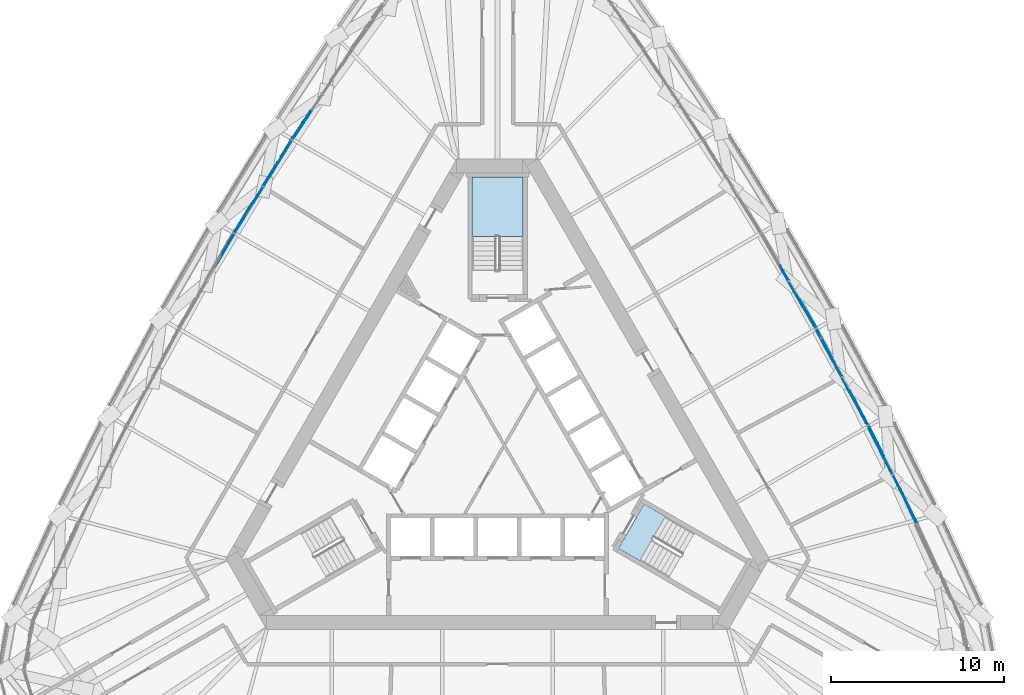
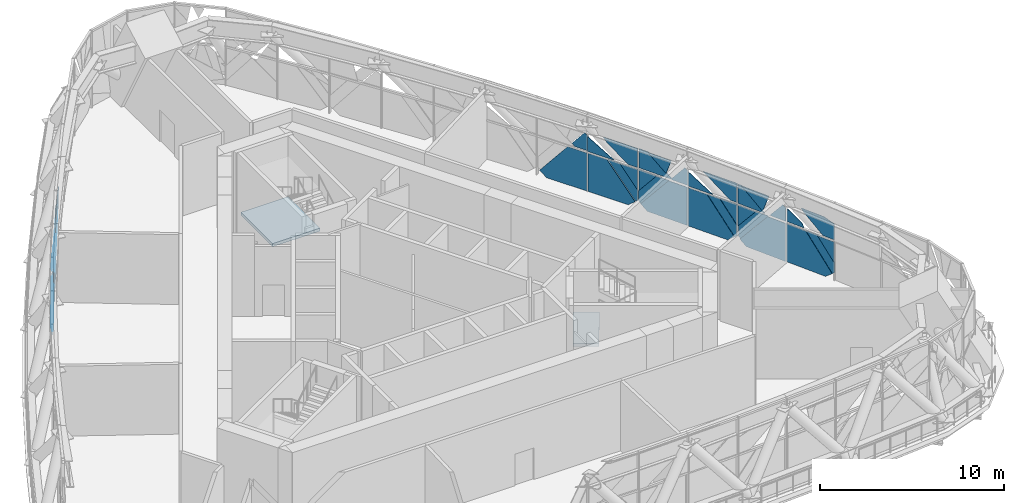
# One storey, part 16 of 35: 47 plates, 2 slabs, 4 elements without a shape of their own.
"""IFC4 building model written with IfcOpenShell, lengths in metres."""

from ifc_helpers import new_model, si_unit, direction, frame, origin, place, context, subcontext, project, spatial, polyline, outline, extrude, material, layer, layer_set, type_object, element, aggregate, save


model = new_model("IFC4")

# Units and contexts
model_context = context("Model", 3, precision=1e-05, world=origin(), true_north=direction((0.0, 1.0)))
body_context = subcontext(model_context, "Body", "Model", "MODEL_VIEW")
ifc_project = project(units=[si_unit("LENGTHUNIT", "METRE"), si_unit("AREAUNIT", "SQUARE_METRE"), si_unit("VOLUMEUNIT", "CUBIC_METRE"), si_unit("PLANEANGLEUNIT", "RADIAN"), si_unit("MASSUNIT", "GRAM", prefix="KILO")], contexts=[model_context])

# Site, building, storey
site_placement = place(None, origin())
site = spatial("IfcSite", under=ifc_project, at=site_placement, CompositionType="ELEMENT")
building_placement = place(site_placement, origin())
building = spatial("IfcBuilding", under=site, at=building_placement, Name="Mestral Congress Tower", CompositionType="ELEMENT")
storey_placement = place(building_placement, frame((0.0, 0.0, 196.199951171875)))
storey = spatial("IfcBuildingStorey", under=building, at=storey_placement, Name="L46", CompositionType="ELEMENT", Elevation=196.199951171875)

# Stair, slab
ifc_material_1 = material(Name="Concrete C60/75", Category="concrete")
stair_type = type_object("IfcStairType", Name="Exit stair 1400", PredefinedType="HALF_TURN_STAIR", material=ifc_material_1)
placement = place(storey_placement, origin())
stair_1 = element("IfcStair", 1, at=placement, inside=storey, type_object=stair_type, Name="L46 ST1", PredefinedType="HALF_TURN_STAIR")
ifc_layer_1 = layer(ifc_material_1, 0.199951171875)
ifc_layer_set_1 = layer_set([ifc_layer_1], Name="Concrete C60/75")
slab_type = type_object("IfcSlabType", Name="Exit stair landing 200", PredefinedType="LANDING", material=ifc_layer_set_1)
slab_1_placement = place(storey_placement, frame((0.0, 0.0, 2.5)))
slab_1 = element("IfcSlab", 2, at=slab_1_placement, type_object=slab_type, Name="ST1 landing 2", PredefinedType="LANDING", context=body_context, shape_type="SweptSolid", body=[
    extrude(outline(polyline([(6.999755859375, -5.756103515625), (8.48486328125, -3.18408203125), (9.714599609375, -3.89404296875), (8.2294921875, -6.466064453125), (6.999755859375, -5.756103515625)])), origin(), (0.0, 0.0, 1.0), 0.199951171875),
])
aggregate(stair_1, [slab_1])

stair_2 = element("IfcStair", 3, at=placement, inside=storey, type_object=stair_type, Name="L46 ST2", PredefinedType="HALF_TURN_STAIR")
slab_2_placement = place(storey_placement, frame((0.0, 0.0, 1.150146484375)))
slab_2 = element("IfcSlab", 4, at=slab_2_placement, type_object=slab_type, Name="ST2 landing 1", PredefinedType="LANDING", context=body_context, shape_type="SweptSolid", body=[
    extrude(outline(polyline([(1.485107421875, 12.300048828125), (-1.485107421875, 12.300048828125), (-1.485107421875, 15.760009765625), (1.485107421875, 15.760009765625), (1.485107421875, 12.300048828125)])), origin(), (0.0, 0.0, 1.0), 0.199951171875),
])
aggregate(stair_2, [slab_2])

# Curtain wall, plates
ifc_material_2 = material(Name="Clear low-emissivity double glazing", Category="glass")
curtain_wall_type = type_object("IfcCurtainWallType", Name="Facade refuge band screen", PredefinedType="USERDEFINED", material=ifc_material_2)
curtain_wall_1 = element("IfcCurtainWall", 5, at=placement, inside=storey, type_object=curtain_wall_type, Name="Facade refuge band screen face 2", ObjectType="CURTAIN WALL", PredefinedType="USERDEFINED")
ifc_material_3 = material(Name="Anodised aluminium", Category="aluminium")
ifc_layer_2 = layer(ifc_material_3, 0.028076171875)
ifc_layer_set_2 = layer_set([ifc_layer_2], Name="Anodised aluminium")
plate_type_1 = type_object("IfcPlateType", Name="Facade refuge band screen brace cover panel", PredefinedType="CURTAIN_PANEL", material=ifc_layer_set_2)
plate_1_placement = place(storey_placement, frame((23.481201171875, -2.59814453125, 2.5400390625), z_axis=(0.894869381615, 0.446323942501, 0.001930854438), x_axis=(0.278267114167, -0.554526432173, -0.784262614941)))
plate_1 = element("IfcPlate", 6, at=plate_1_placement, type_object=plate_type_1, Name="Facade refuge band screen brace cover panel", PredefinedType="CURTAIN_PANEL", context=body_context, shape_type="SweptSolid", body=[
    extrude(outline(polyline([(0.0, 0.0), (2.79702675263856, -2.220446049250313e-16), (2.7970649188558374, -0.1873564082538206), (2.2504834926029638, -0.6198950947583832), (0.49037086278727016, -0.6198636003843206), (0.0, 0.0)])), origin(), (0.0, 0.0, -1.0), 0.028076171875),
])
plate_2_placement = place(storey_placement, frame((23.426513671875, -2.48876953125, 2.66015625), z_axis=(0.89493408392, 0.446192859303, 0.002217599228), x_axis=(-0.194864501916, 0.386361307854, 0.901528017139)))
plate_2 = element("IfcPlate", 7, at=plate_2_placement, type_object=plate_type_1, Name="Facade refuge band screen brace cover panel", PredefinedType="CURTAIN_PANEL", context=body_context, shape_type="SweptSolid", body=[
    extrude(outline(polyline([(0.0, 0.0), (0.3141369775062169, -2.7755575615628914e-17), (1.2679149776236052, -0.6313342401489775), (0.48365001359609244, -1.007646657759763), (0.0, 0.0)])), origin(), (0.0, 0.0, -1.0), 0.028076171875),
])
plate_3_placement = place(storey_placement, frame((24.294189453125, -4.296142578125, 2.66015625), z_axis=(0.894920000105, 0.446221602361, 0.002115419099), x_axis=(-0.00189210891, -0.00094600588, 0.999997762496)))
plate_3 = element("IfcPlate", 8, at=plate_3_placement, type_object=plate_type_1, Name="Facade refuge band screen brace cover panel", PredefinedType="CURTAIN_PANEL", context=body_context, shape_type="SweptSolid", body=[
    extrude(outline(polyline([(0.0, 0.0), (1.0517600785466334, -2.346281263894412e-19), (1.2778331292709204, -0.7070696004428285), (1.2778299594652922, -2.174271637724698), (1.047605164160538, -1.9865859976803235), (-1.8155292224901129e-06, -0.7414623112388942), (0.0, 0.0)])), origin(), (0.0, 0.0, -1.0), 0.028076171875),
])
plate_4_placement = place(storey_placement, frame((21.518798828125, 1.364990234375, 0.460693359375), z_axis=(0.894902119157, 0.446257589388, 0.002088310799), x_axis=(0.345101799845, -0.689067385782, -0.637252607366)))
plate_4 = element("IfcPlate", 9, at=plate_4_placement, type_object=plate_type_1, Name="Facade refuge band screen brace cover panel", PredefinedType="CURTAIN_PANEL", context=body_context, shape_type="SweptSolid", body=[
    extrude(outline(polyline([(0.0, 0.0), (0.18389494451084964, -1.3877787807814457e-17), (0.18764051560078499, -2.853323756987391), (-0.43173132582676643, -2.341164869663542), (-0.4341382651368059, -0.5251925001433092), (0.0, 0.0)])), origin(), (0.0, 0.0, -1.0), 0.028076171875),
])
plate_5_placement = place(storey_placement, frame((21.478515625, 1.3447265625, 3.93798828125), z_axis=(0.894886104666, 0.446290004999, 0.002022650436), x_axis=(0.001771008181, 0.0009809668, -0.999997950615)))
plate_5 = element("IfcPlate", 10, at=plate_5_placement, type_object=plate_type_1, Name="Facade refuge band screen brace cover panel", PredefinedType="CURTAIN_PANEL", context=body_context, shape_type="SweptSolid", body=[
    extrude(outline(polyline([(0.0, 0.0), (1.2778345013248131, -2.303929616531697e-19), (1.2776802503985354, -1.765162525713487), (-2.1694174484320573e-05, -0.24631706900501762), (0.0, 0.0)])), origin(), (0.0, 0.0, -1.0), 0.028076171875),
])
plate_6_placement = place(storey_placement, frame((21.561767578125, 1.11083984375, 3.93798828125), z_axis=(0.894936699096, 0.446188135929, 0.002109968636), x_axis=(0.342593644393, -0.684108253686, -0.643914196194)))
plate_6 = element("IfcPlate", 11, at=plate_6_placement, type_object=plate_type_1, Name="Facade refuge band screen brace cover panel", PredefinedType="CURTAIN_PANEL", context=body_context, shape_type="SweptSolid", body=[
    extrude(outline(polyline([(0.0, 0.0), (1.810066233418933, -1.1102230246251565e-16), (1.3861060716097846, -1.1665657310239872), (0.0, 0.0)])), origin(), (0.0, 0.0, -1.0), 0.028076171875),
])
plate_7_placement = place(storey_placement, frame((22.8740234375, -1.4482421875, 2.66015625), z_axis=(0.89497813012, 0.446105774947, 0.001945293396), x_axis=(-0.001632354924, -0.001085768728, 0.99999807826)))
plate_7 = element("IfcPlate", 12, at=plate_7_placement, type_object=plate_type_1, Name="Facade refuge band screen brace cover panel", PredefinedType="CURTAIN_PANEL", context=body_context, shape_type="SweptSolid", body=[
    extrude(outline(polyline([(0.0, 0.0), (0.9055192894215713, -2.710505431213761e-20), (1.0238794809980376, -0.19819583644458633), (-0.0002550013201307763, -1.0469566400309236), (0.0, 0.0)])), origin(), (0.0, 0.0, -1.0), 0.028076171875),
])
plate_8_placement = place(storey_placement, frame((20.552978515625, 3.074951171875, 2.5400390625), z_axis=(0.880825107332, 0.473438083605, 0.001873842534), x_axis=(0.297208202274, -0.549862284709, -0.780588721643)))
plate_8 = element("IfcPlate", 13, at=plate_8_placement, type_object=plate_type_1, Name="Facade refuge band screen brace cover panel", PredefinedType="CURTAIN_PANEL", context=body_context, shape_type="SweptSolid", body=[
    extrude(outline(polyline([(0.0, 0.0), (2.804874443106313, -2.220446049250313e-16), (2.804788384702931, -0.19050504320077377), (2.27072358179295, -0.6183818715514594), (0.49498738918613205, -0.618168545794259), (0.0, 0.0)])), origin(), (0.0, 0.0, -1.0), 0.028076171875),
])
plate_9_placement = place(storey_placement, frame((19.947021484375, 4.135009765625, 3.61376953125), z_axis=(0.880866538695, 0.473360717585, 0.001942178168), x_axis=(0.001792111289, 0.000768047695, -0.999998099218)))
plate_9 = element("IfcPlate", 14, at=plate_9_placement, type_object=plate_type_1, Name="Facade refuge band screen brace cover panel", PredefinedType="CURTAIN_PANEL", context=body_context, shape_type="SweptSolid", body=[
    extrude(outline(polyline([(0.0, 0.0), (0.9536150938642848, -5.421010862427522e-20), (0.9538895484077298, -1.5978221058505713), (0.0, 0.0)])), origin(), (0.0, 0.0, -1.0), 0.028076171875),
])
plate_10_placement = place(storey_placement, frame((21.4794921875, 1.413818359375, 2.66015625), z_axis=(0.880844028435, 0.473402803729, 0.001892879455), x_axis=(-0.001654346713, -0.000920262062, 0.999998208126)))
plate_10 = element("IfcPlate", 15, at=plate_10_placement, type_object=plate_type_1, Name="Facade refuge band screen brace cover panel", PredefinedType="CURTAIN_PANEL", context=body_context, shape_type="SweptSolid", body=[
    extrude(outline(polyline([(0.0, 0.0), (1.2778344999416134, 6.776263578034403e-20), (1.27777415010252, -2.191488848526549), (1.2516519357156792, -2.169644929636176), (-1.2265541577076715e-05, -0.44511362178338565), (0.0, 0.0)])), origin(), (0.0, 0.0, -1.0), 0.028076171875),
])
plate_11_placement = place(storey_placement, frame((18.47265625, 6.955322265625, 0.468994140625), z_axis=(0.880885854358, 0.473324606997, 0.001981919007), x_axis=(0.367082864835, -0.680508143033, -0.634159946393)))
plate_11 = element("IfcPlate", 16, at=plate_11_placement, type_object=plate_type_1, Name="Facade refuge band screen brace cover panel", PredefinedType="CURTAIN_PANEL", context=body_context, shape_type="SweptSolid", body=[
    extrude(outline(polyline([(0.0, 0.0), (0.1890263326833333, -1.3877787807814457e-17), (0.1877486430922335, -2.8325265344094066), (-0.42963129705526304, -2.326165984899715), (-0.4288127298351128, -0.5229360778505321), (0.0, 0.0)])), origin(), (0.0, 0.0, -1.0), 0.028076171875),
])
plate_12_placement = place(storey_placement, frame((18.492919921875, 6.96630859375, 3.93798828125), z_axis=(0.880861193629, 0.473371144413, 0.001821317042), x_axis=(0.001670976235, 0.000738143602, -0.99999833149)))
plate_12 = element("IfcPlate", 17, at=plate_12_placement, type_object=plate_type_1, Name="Facade refuge band screen brace cover panel", PredefinedType="CURTAIN_PANEL", context=body_context, shape_type="SweptSolid", body=[
    extrude(outline(polyline([(0.0, 0.0), (1.2778342915962635, 2.710505431213761e-20), (1.2781376282395536, -2.1554419119107484), (8.535656065660613e-05, -0.6053570943226405), (0.0, 0.0)])), origin(), (0.0, 0.0, -1.0), 0.028076171875),
])
plate_13_placement = place(storey_placement, frame((18.726806640625, 6.404541015625, 3.93798828125), z_axis=(0.880893123029, 0.47331089895, 0.002024533548), x_axis=(0.366309985535, -0.679029285495, -0.636188827265)))
plate_13 = element("IfcPlate", 18, at=plate_13_placement, type_object=plate_type_1, Name="Facade refuge band screen brace cover panel", PredefinedType="CURTAIN_PANEL", context=body_context, shape_type="SweptSolid", body=[
    extrude(outline(polyline([(0.0, 0.0), (1.5215884602780994, -1.1102230246251565e-16), (1.1692262867648466, -0.9641206306088228), (0.0, 0.0)])), origin(), (0.0, 0.0, -1.0), 0.028076171875),
])
plate_14_placement = place(storey_placement, frame((19.489013671875, 5.054443359375, 2.66015625), z_axis=(0.880836492353, 0.473416673692, 0.001930494787), x_axis=(0.473417556103, -0.880838133583, -1.41893e-07)))
plate_14 = element("IfcPlate", 19, at=plate_14_placement, type_object=plate_type_1, Name="Facade refuge band screen brace cover panel", PredefinedType="CURTAIN_PANEL", context=body_context, shape_type="SweptSolid", body=[
    extrude(outline(polyline([(0.0, 0.0), (0.9668020819408104, -1.0842021724855044e-19), (0.9668530718208105, -0.9895039078458003), (0.7924058555149186, -1.0935079841309931), (-0.061825449227315823, -0.05078120714652569), (0.0, 0.0)])), origin(), (0.0, 0.0, -1.0), 0.028076171875),
])
plate_15_placement = place(storey_placement, frame((17.511962890625, 8.68896484375, 2.5400390625), z_axis=(0.865998418492, 0.500042926164, 0.001952219933), x_axis=(0.316050131183, -0.544317090054, -0.777065775887)))
plate_15 = element("IfcPlate", 20, at=plate_15_placement, type_object=plate_type_1, Name="Facade refuge band screen brace cover panel", PredefinedType="CURTAIN_PANEL", context=body_context, shape_type="SweptSolid", body=[
    extrude(outline(polyline([(0.0, 0.0), (2.8163338383277354, 0.0), (2.8163507293885246, -0.191248233893337), (2.290043105205446, -0.6174684755171552), (0.5000242000018146, -0.6173207084453199), (0.0, 0.0)])), origin(), (0.0, 0.0, -1.0), 0.028076171875),
])
plate_16_placement = place(storey_placement, frame((16.8505859375, 9.694091796875, 3.645263671875), z_axis=(0.86607852088, 0.499903994216, 0.001998058395), x_axis=(0.001734816859, 0.00099132392, -0.999998003842)))
plate_16 = element("IfcPlate", 21, at=plate_16_placement, type_object=plate_type_1, Name="Facade refuge band screen brace cover panel", PredefinedType="CURTAIN_PANEL", context=body_context, shape_type="SweptSolid", body=[
    extrude(outline(polyline([(0.0, 0.0), (0.9851093883092982, -2.1006417091906648e-19), (0.9851237886445553, -1.6594950177549646), (0.0, 0.0)])), origin(), (0.0, 0.0, -1.0), 0.028076171875),
])
plate_17_placement = place(storey_placement, frame((18.439453125, 7.006103515625, 2.66015625), z_axis=(0.86601547352, 0.500013149689, 0.002012402249), x_axis=(-0.001676287215, -0.001121385488, 0.999997966276)))
plate_17 = element("IfcPlate", 22, at=plate_17_placement, type_object=plate_type_1, Name="Facade refuge band screen brace cover panel", PredefinedType="CURTAIN_PANEL", context=body_context, shape_type="SweptSolid", body=[
    extrude(outline(polyline([(0.0, 0.0), (1.2778347583948884, 0.0), (1.2775436976866514, -2.1875871702848144), (1.0317227347438116, -1.969974985844968), (-8.074168619593379e-05, -0.6069464530079045), (0.0, 0.0)])), origin(), (0.0, 0.0, -1.0), 0.028076171875),
])
plate_18_placement = place(storey_placement, frame((16.48388671875, 10.453369140625, 2.66015625), z_axis=(0.86601112289, 0.500020193614, 0.002130964195), x_axis=(0.500021328542, -0.866013089395, 2.02644e-07)))
plate_18 = element("IfcPlate", 23, at=plate_18_placement, type_object=plate_type_1, Name="Facade refuge band screen brace cover panel", PredefinedType="CURTAIN_PANEL", context=body_context, shape_type="SweptSolid", body=[
    extrude(outline(polyline([(0.0, 0.0), (0.7808570219634121, 2.168404344971009e-19), (0.7810598450594992, -1.0207540899855567), (0.6018786750109139, -1.1269556705627122), (-0.1873878848625387, -0.15234417088872693), (0.0, 0.0)])), origin(), (0.0, 0.0, -1.0), 0.028076171875),
])

curtain_wall_2 = element("IfcCurtainWall", 24, at=placement, inside=storey, type_object=curtain_wall_type, Name="Facade refuge band screen face 3", ObjectType="CURTAIN WALL", PredefinedType="USERDEFINED")
plate_19_placement = place(storey_placement, frame((-11.94140625, 17.953369140625, 0.460693359375), z_axis=(-0.833938814529, 0.551853344173, 0.001984980328), x_axis=(0.423990582768, 0.643011763026, -0.63778355132)))
plate_19 = element("IfcPlate", 25, at=plate_19_placement, type_object=plate_type_1, Name="Facade refuge band screen brace cover panel", PredefinedType="CURTAIN_PANEL", context=body_context, shape_type="SweptSolid", body=[
    extrude(outline(polyline([(0.0, 0.0), (0.18374189302762128, 0.0), (0.18558186786139896, -2.8533751804035954), (-0.4334264764731949, -2.340798136216363), (-0.4345368589136943, -0.5248627524169067), (0.0, 0.0)])), origin(), (0.0, 0.0, -1.0), 0.028076171875),
])
plate_20_placement = place(storey_placement, frame((-11.90380859375, 17.9287109375, 3.93798828125), z_axis=(-0.833948804633, 0.551838612207, 0.001880778527), x_axis=(-0.001652485626, 0.00091093076, -0.999998219747)))
plate_20 = element("IfcPlate", 26, at=plate_20_placement, type_object=plate_type_1, Name="Facade refuge band screen brace cover panel", PredefinedType="CURTAIN_PANEL", context=body_context, shape_type="SweptSolid", body=[
    extrude(outline(polyline([(0.0, 0.0), (1.2778344993110926, 1.6263032587282567e-19), (1.2775655988970724, -1.765069850808234), (-3.727764621909614e-05, -0.24613647086083962), (0.0, 0.0)])), origin(), (0.0, 0.0, -1.0), 0.028076171875),
])
plate_21_placement = place(storey_placement, frame((-11.742919921875, 18.117431640625, 3.93798828125), z_axis=(-0.833930633113, 0.551865860148, 0.001942049948), x_axis=(0.421205182626, 0.638753680729, -0.643878815837)))
plate_21 = element("IfcPlate", 27, at=plate_21_placement, type_object=plate_type_1, Name="Facade refuge band screen brace cover panel", PredefinedType="CURTAIN_PANEL", context=body_context, shape_type="SweptSolid", body=[
    extrude(outline(polyline([(0.0, 0.0), (1.810165694355766, 1.1102230246251565e-16), (1.3860944822287173, -1.1664458074775845), (0.0, 0.0)])), origin(), (0.0, 0.0, -1.0), 0.028076171875),
])
plate_22_placement = place(storey_placement, frame((-12.939697265625, 16.261962890625, 2.5400390625), z_axis=(-0.850307140042, 0.526282661073, 0.002080443894), x_axis=(0.327557947513, 0.532316354699, -0.780605591538)))
plate_22 = element("IfcPlate", 28, at=plate_22_placement, type_object=plate_type_1, Name="Facade refuge band screen brace cover panel", PredefinedType="CURTAIN_PANEL", context=body_context, shape_type="SweptSolid", body=[
    extrude(outline(polyline([(0.0, 0.0), (2.8048128828954653, 0.0), (2.8048007843151863, -0.19060309451048107), (2.2706219189811216, -0.618338147903763), (0.4950189161651848, -0.6182436902202864), (0.0, 0.0)])), origin(), (0.0, 0.0, -1.0), 0.028076171875),
])
plate_23_placement = place(storey_placement, frame((-12.76611328125, 16.5986328125, 2.66015625), z_axis=(-0.850305659142, 0.526285123203, 0.002062795726), x_axis=(-0.451036720765, -0.730737211943, 0.51243438956)))
plate_23 = element("IfcPlate", 29, at=plate_23_placement, type_object=plate_type_1, Name="Facade refuge band screen brace cover panel", PredefinedType="CURTAIN_PANEL", context=body_context, shape_type="SweptSolid", body=[
    extrude(outline(polyline([(0.0, 0.0), (1.8609470805987312, -2.220446049250313e-16), (1.3723400450949175, -0.8189293799433972), (0.0, 0.0)])), origin(), (0.0, 0.0, -1.0), 0.028076171875),
])
plate_24_placement = place(storey_placement, frame((-13.052490234375, 16.01708984375, 3.911865234375), z_axis=(-0.850359195553, 0.526198997291, 0.001963106886), x_axis=(0.424865627569, 0.688791790518, -0.587413881199)))
plate_24 = element("IfcPlate", 30, at=plate_24_placement, type_object=plate_type_1, Name="Facade refuge band screen brace cover panel", PredefinedType="CURTAIN_PANEL", context=body_context, shape_type="SweptSolid", body=[
    extrude(outline(polyline([(0.0, 0.0), (2.1308810938788887, 0.0), (2.491006438640033, -0.2613946320621485), (1.7403147359323048, -1.2954756850864524), (-0.03327241291052269, -0.008128324315252783), (0.0, 0.0)])), origin(), (0.0, 0.0, -1.0), 0.028076171875),
])
plate_25_placement = place(storey_placement, frame((-15.285400390625, 12.535888671875, 0.46875), z_axis=(-0.850404895172, 0.526124675363, 0.002083324746), x_axis=(0.406082515792, 0.658881413743, -0.633223714806)))
plate_25 = element("IfcPlate", 31, at=plate_25_placement, type_object=plate_type_1, Name="Facade refuge band screen brace cover panel", PredefinedType="CURTAIN_PANEL", context=body_context, shape_type="SweptSolid", body=[
    extrude(outline(polyline([(0.0, 0.0), (0.1889206668023214, 0.0), (0.19115125874528305, -2.8325926496476055), (-0.426982555393143, -2.3268638228870793), (-0.4282105136656761, -0.5237444220851087), (0.0, 0.0)])), origin(), (0.0, 0.0, -1.0), 0.028076171875),
])
plate_26_placement = place(storey_placement, frame((-15.25390625, 12.5166015625, 3.93798828125), z_axis=(-0.850333106443, 0.526240881493, 0.002035370288), x_axis=(-0.00177945964, 0.000992383217, -0.999997924347)))
plate_26 = element("IfcPlate", 32, at=plate_26_placement, type_object=plate_type_1, Name="Facade refuge band screen brace cover panel", PredefinedType="CURTAIN_PANEL", context=body_context, shape_type="SweptSolid", body=[
    extrude(outline(polyline([(0.0, 0.0), (1.2778345002653069, -1.0842021724855044e-19), (1.2776351457016633, -2.1555747923409636), (-5.6213625082384886e-05, -0.6052860506547862), (0.0, 0.0)])), origin(), (0.0, 0.0, -1.0), 0.028076171875),
])
plate_27_placement = place(storey_placement, frame((-14.9609375, 13.047119140625, 3.93798828125), z_axis=(-0.850359783085, 0.526198380363, 0.001871848252), x_axis=(0.404971874464, 0.656715484225, -0.636178083301)))
plate_27 = element("IfcPlate", 33, at=plate_27_placement, type_object=plate_type_1, Name="Facade refuge band screen brace cover panel", PredefinedType="CURTAIN_PANEL", context=body_context, shape_type="SweptSolid", body=[
    extrude(outline(polyline([(0.0, 0.0), (1.5216141573163096, 0.0), (1.1691363446626741, -0.964018634208769), (0.0, 0.0)])), origin(), (0.0, 0.0, -1.0), 0.028076171875),
])
plate_28_placement = place(storey_placement, frame((-14.096435546875, 14.3349609375, 2.66015625), z_axis=(-0.850346932843, 0.526218446188, 0.002059294821), x_axis=(0.526219561793, 0.850348735982, -9.3963e-08)))
plate_28 = element("IfcPlate", 34, at=plate_28_placement, type_object=plate_type_1, Name="Facade refuge band screen brace cover panel", PredefinedType="CURTAIN_PANEL", context=body_context, shape_type="SweptSolid", body=[
    extrude(outline(polyline([(0.0, 0.0), (0.9669472923741119, 0.0), (0.966808477046675, -0.9895041704604657), (0.7926155916848726, -1.0935081085409726), (-0.06192933306518567, -0.05078142159227186), (0.0, 0.0)])), origin(), (0.0, 0.0, -1.0), 0.028076171875),
])
plate_29_placement = place(storey_placement, frame((-16.215087890625, 10.783203125, 2.5400390625), z_axis=(-0.865992878797, 0.500052034295, 0.002072889413), x_axis=(0.313372243972, 0.545920825137, -0.777025282336)))
plate_29 = element("IfcPlate", 35, at=plate_29_placement, type_object=plate_type_1, Name="Facade refuge band screen brace cover panel", PredefinedType="CURTAIN_PANEL", context=body_context, shape_type="SweptSolid", body=[
    extrude(outline(polyline([(0.0, 0.0), (2.816480627327522, 0.0), (2.816397478949054, -0.19110923265229474), (2.2901428318650296, -0.6173959250311066), (0.5000638491647021, -0.6172885903405622), (0.0, 0.0)])), origin(), (0.0, 0.0, -1.0), 0.028076171875),
])
plate_30_placement = place(storey_placement, frame((-15.287109375, 12.466064453125, 2.66015625), z_axis=(-0.866001085913, 0.500037754139, 0.00208893131), x_axis=(0.001742559039, -0.001159649863, 0.999997809348)))
plate_30 = element("IfcPlate", 36, at=plate_30_placement, type_object=plate_type_1, Name="Facade refuge band screen brace cover panel", PredefinedType="CURTAIN_PANEL", context=body_context, shape_type="SweptSolid", body=[
    extrude(outline(polyline([(0.0, 0.0), (1.2778347595352466, -2.710505431213761e-20), (1.278125545374026, -2.1873757404688767), (1.0322465153095128, -1.9697722991490991), (8.060116243022283e-05, -0.6072799585922419), (0.0, 0.0)])), origin(), (0.0, 0.0, -1.0), 0.028076171875),
])

# Plate
ifc_layer_3 = layer(ifc_material_2, 0.028076171875)
ifc_layer_set_3 = layer_set([ifc_layer_3], Name="Clear low-emissivity double glazing")
plate_type_2 = type_object("IfcPlateType", Name="Facade refuge band screen panel", PredefinedType="CURTAIN_PANEL", material=ifc_layer_set_3)
plate_31_placement = place(storey_placement, frame((24.267578125, -4.3095703125, 2.5400390625), z_axis=(0.894916594283, 0.446228709015, 0.002056338556), x_axis=(-0.446229652464, 0.894918486379, 0.0)))
plate_31 = element("IfcPlate", 37, at=plate_31_placement, type_object=plate_type_2, Name="Refuge screen glass unit", PredefinedType="CURTAIN_PANEL", context=body_context, shape_type="SweptSolid", body=[
    extrude(outline(polyline([(0.0, 0.0), (1.092049093576903, 0.0), (0.0002214878890712637, -1.3803740122283437), (0.0, 0.0)])), origin(), (0.0, 0.0, -1.0), 0.028076171875),
])

plate_32_placement = place(storey_placement, frame((22.901123046875, -1.501953125, 2.5400390625), z_axis=(0.894919492183, 0.446223036512, 0.00202588196), x_axis=(0.001792805783, 0.0009445074, -0.999997946874)))
plate_32 = element("IfcPlate", 38, at=plate_32_placement, type_object=plate_type_2, Name="Refuge screen glass unit", PredefinedType="CURTAIN_PANEL", context=body_context, shape_type="SweptSolid", body=[
    extrude(outline(polyline([(0.0, 0.0), (2.5400444696450375, -6.776263578034403e-20), (2.5399295344374155, -2.5376330270503815), (2.1934732113686257, -2.9753331998844597), (-5.578501502869057e-05, -1.2399919758882536), (0.0, 0.0)])), origin(), (0.0, 0.0, -1.0), 0.028076171875),
])

plate_33_placement = place(storey_placement, frame((21.486572265625, 1.348876953125, 2.5400390625), z_axis=(0.894972456811, 0.446117124859, 0.001952551553), x_axis=(0.00174641651, 0.000873208255, -0.999998093767)))
plate_33 = element("IfcPlate", 39, at=plate_33_placement, type_object=plate_type_2, Name="Refuge screen glass unit", PredefinedType="CURTAIN_PANEL", context=body_context, shape_type="SweptSolid", body=[
    extrude(outline(polyline([(0.0, 0.0), (1.3979518835726543, -2.337810934421869e-19), (-2.771412919090675e-06, -1.1590876683328426), (0.0, 0.0)])), origin(), (0.0, 0.0, -1.0), 0.028076171875),
])

plate_34_placement = place(storey_placement, frame((21.712158203125, 0.84033203125, 0.0), z_axis=(0.894923683757, 0.446214583963, 0.002036003175), x_axis=(0.44621550885, -0.894925538613, -1.9405e-08)))
plate_34 = element("IfcPlate", 40, at=plate_34_placement, type_object=plate_type_2, Name="Refuge screen glass unit", PredefinedType="CURTAIN_PANEL", context=body_context, shape_type="SweptSolid", body=[
    extrude(outline(polyline([(0.0, 0.0), (2.566566508614815, 4.336808689942018e-19), (2.56668148879791, -2.540044467872363), (1.4070479126511972, -2.540044189422129), (-0.4142397109630157, -0.3435067471347627), (0.0, 0.0)])), origin(), (0.0, 0.0, -1.0), 0.028076171875),
])

plate_35_placement = place(storey_placement, frame((19.948974609375, 4.135986328125, 2.5400390625), z_axis=(0.880876040144, 0.473342808192, 0.001996955864), x_axis=(0.001786020926, 0.000895099346, -0.999998004461)))
plate_35 = element("IfcPlate", 41, at=plate_35_placement, type_object=plate_type_2, Name="Refuge screen glass unit", PredefinedType="CURTAIN_PANEL", context=body_context, shape_type="SweptSolid", body=[
    extrude(outline(polyline([(0.0, 0.0), (2.5400438092493327, -1.8973538018496328e-19), (2.54018848722117, -2.53578666314729), (2.1896266432832756, -2.973579230880798), (6.926464580937416e-05, -1.220536407509182), (0.0, 0.0)])), origin(), (0.0, 0.0, -1.0), 0.028076171875),
])

plate_36_placement = place(storey_placement, frame((21.479736328125, 1.413818359375, 2.5400390625), z_axis=(0.880885593846, 0.473324793497, 0.002051929663), x_axis=(-0.473325789947, 0.880887448299, 0.0)))
plate_36 = element("IfcPlate", 42, at=plate_36_placement, type_object=plate_type_2, Name="Refuge screen glass unit", PredefinedType="CURTAIN_PANEL", context=body_context, shape_type="SweptSolid", body=[
    extrude(outline(polyline([(0.0, 0.0), (1.1099978833994575, 1.0842021724855044e-19), (0.0001347819312303958, -1.385989245923265), (0.0, 0.0)])), origin(), (0.0, 0.0, -1.0), 0.028076171875),
])

plate_37_placement = place(storey_placement, frame((18.49560546875, 6.967529296875, 2.5400390625), z_axis=(0.880880724573, 0.473334550353, 0.001884812502), x_axis=(0.001575351631, 0.001050234421, -0.999998207636)))
plate_37 = element("IfcPlate", 43, at=plate_37_placement, type_object=plate_type_2, Name="Refuge screen glass unit", PredefinedType="CURTAIN_PANEL", context=body_context, shape_type="SweptSolid", body=[
    extrude(outline(polyline([(0.0, 0.0), (1.3947778905748973, 0.0), (-0.00020512391030513832, -1.1429857695788805), (0.0, 0.0)])), origin(), (0.0, 0.0, -1.0), 0.028076171875),
])

plate_38_placement = place(storey_placement, frame((18.718017578125, 6.4375, 0.0), z_axis=(0.880865003668, 0.47336326784, 0.002015433821), x_axis=(0.473364229094, -0.880866792775, 8.0819e-08)))
plate_38 = element("IfcPlate", 44, at=plate_38_placement, type_object=plate_type_2, Name="Refuge screen glass unit", PredefinedType="CURTAIN_PANEL", context=body_context, shape_type="SweptSolid", body=[
    extrude(outline(polyline([(0.0, 0.0), (2.550089870353085, 0.0), (2.5501604154311828, -2.540044034626216), (1.3691600519934877, -2.540044218629426), (-0.42613042579377564, -0.3491219696321285), (0.0, 0.0)])), origin(), (0.0, 0.0, -1.0), 0.028076171875),
])

plate_39_placement = place(storey_placement, frame((18.44482421875, 7.009033203125, 2.5400390625), z_axis=(0.866086355704, 0.49989022332, 0.002046727207), x_axis=(-0.499891270366, 0.866088169768, 0.0)))
plate_39 = element("IfcPlate", 45, at=plate_39_placement, type_object=plate_type_2, Name="Refuge screen glass unit", PredefinedType="CURTAIN_PANEL", context=body_context, shape_type="SweptSolid", body=[
    extrude(outline(polyline([(0.0, 0.0), (1.126709857250136, 0.0), (4.824617064044057e-05, -1.3908720538737283), (0.0, 0.0)])), origin(), (0.0, 0.0, -1.0), 0.028076171875),
])

plate_40_placement = place(storey_placement, frame((16.857666015625, 9.6982421875, 2.5400390625), z_axis=(0.866019381117, 0.500006503499, 0.001981915521), x_axis=(0.001732717049, 0.000962677642, -0.99999803547)))
plate_40 = element("IfcPlate", 46, at=plate_40_placement, type_object=plate_type_2, Name="Refuge screen glass unit", PredefinedType="CURTAIN_PANEL", context=body_context, shape_type="SweptSolid", body=[
    extrude(outline(polyline([(0.0, 0.0), (2.5400440372828905, -2.0328790734103208e-19), (2.5401270130000575, -2.5400119342559373), (2.188578061012947, -2.973782965932605), (3.918811265018183e-05, -1.2012046489388326), (0.0, 0.0)])), origin(), (0.0, 0.0, -1.0), 0.028076171875),
])

plate_41_placement = place(storey_placement, frame((15.56201171875, 11.952392578125, 0.0), z_axis=(0.866052586432, 0.499949095971, 0.001954219095), x_axis=(0.499950050831, -0.86605424003, -1.2476e-07)))
plate_41 = element("IfcPlate", 47, at=plate_41_placement, type_object=plate_type_2, Name="Refuge screen glass unit", PredefinedType="CURTAIN_PANEL", context=body_context, shape_type="SweptSolid", body=[
    extrude(outline(polyline([(0.0, 0.0), (2.5400119304428244, 4.336808689942018e-19), (2.5401403966828986, -2.540044273720581), (1.3390578059207983, -2.540043809084661), (-0.4339470449490929, -0.3515630775995696), (0.0, 0.0)])), origin(), (0.0, 0.0, -1.0), 0.028076171875),
])

aggregate(curtain_wall_1, [plate_31, plate_32, plate_1, plate_2, plate_3, plate_33, plate_34, plate_4, plate_5, plate_6, plate_7, plate_35, plate_36, plate_8, plate_9, plate_10, plate_37, plate_38, plate_11, plate_12, plate_13, plate_14, plate_39, plate_40, plate_15, plate_16, plate_17, plate_41, plate_18])

plate_42_placement = place(storey_placement, frame((-11.907958984375, 17.93115234375, 2.5400390625), z_axis=(-0.833923184079, 0.551876418865, 0.002131045542), x_axis=(-0.001746415871, 0.00122249111, -0.999997727771)))
plate_42 = element("IfcPlate", 48, at=plate_42_placement, type_object=plate_type_2, Name="Refuge screen glass unit", PredefinedType="CURTAIN_PANEL", context=body_context, shape_type="SweptSolid", body=[
    extrude(outline(polyline([(0.0, 0.0), (1.3979523952180228, 2.846030702774449e-19), (6.45099417216576e-05, -1.1590402528654682), (0.0, 0.0)])), origin(), (0.0, 0.0, -1.0), 0.028076171875),
])

plate_43_placement = place(storey_placement, frame((-13.556396484375, 15.208251953125, 2.5400390625), z_axis=(-0.850362641616, 0.526193395955, 0.001971749512), x_axis=(-0.001656034835, 0.001070928531, -0.999998055328)))
plate_43 = element("IfcPlate", 49, at=plate_43_placement, type_object=plate_type_2, Name="Refuge screen glass unit", PredefinedType="CURTAIN_PANEL", context=body_context, shape_type="SweptSolid", body=[
    extrude(outline(polyline([(0.0, 0.0), (2.5400438721785545, 6.369687763352339e-19), (2.5401435329244406, -2.5356616067165487), (2.1895742650231016, -2.973598988178642), (4.772693741761282e-05, -1.2205361642134394), (0.0, 0.0)])), origin(), (0.0, 0.0, -1.0), 0.028076171875),
])

plate_44_placement = place(storey_placement, frame((-11.96435546875, 17.89501953125, 2.5400390625), z_axis=(-0.850385212541, 0.52615660331, 0.002054041174), x_axis=(-0.526157713263, -0.85038700647, 0.0)))
plate_44 = element("IfcPlate", 50, at=plate_44_placement, type_object=plate_type_2, Name="Refuge screen glass unit", PredefinedType="CURTAIN_PANEL", context=body_context, shape_type="SweptSolid", body=[
    extrude(outline(polyline([(0.0, 0.0), (1.1099036662939532, -2.168404344971009e-19), (3.888063813815151e-05, -1.385989251931416), (0.0, 0.0)])), origin(), (0.0, 0.0, -1.0), 0.028076171875),
])

plate_45_placement = place(storey_placement, frame((-13.61328125, 15.173095703125, 2.5400390625), z_axis=(-0.850371083536, 0.526179558021, 0.002023117923), x_axis=(-0.526180634865, -0.850372823821, -7.481e-09)))
plate_45 = element("IfcPlate", 51, at=plate_45_placement, type_object=plate_type_2, Name="Refuge screen glass unit", PredefinedType="CURTAIN_PANEL", context=body_context, shape_type="SweptSolid", body=[
    extrude(outline(polyline([(0.0, 0.0), (1.1808381689713445, 0.0), (3.1222937905787274, -2.3691454649747645), (3.12221464337362, -2.540044232645367), (2.8620165990866936e-05, -2.5400442835011403), (0.0, 0.0)])), origin(), (0.0, 0.0, -1.0), 0.028076171875),
])

plate_46_placement = place(storey_placement, frame((-15.230712890625, 12.502197265625, 2.5400390625), z_axis=(-0.850399920227, 0.526132882069, 0.002041098634), x_axis=(-0.001750390192, 0.001050234115, -0.999997916569)))
plate_46 = element("IfcPlate", 52, at=plate_46_placement, type_object=plate_type_2, Name="Refuge screen glass unit", PredefinedType="CURTAIN_PANEL", context=body_context, shape_type="SweptSolid", body=[
    extrude(outline(polyline([(0.0, 0.0), (1.3947782965492441, -1.1519648082658485e-19), (-3.179419684304287e-05, -1.1428996876313011), (0.0, 0.0)])), origin(), (0.0, 0.0, -1.0), 0.028076171875),
])

plate_47_placement = place(storey_placement, frame((-15.287353515625, 12.466064453125, 2.5400390625), z_axis=(-0.866086355704, 0.49989022332, 0.002046727207), x_axis=(-0.499891270366, -0.866088169768, 0.0)))
plate_47 = element("IfcPlate", 53, at=plate_47_placement, type_object=plate_type_2, Name="Refuge screen glass unit", PredefinedType="CURTAIN_PANEL", context=body_context, shape_type="SweptSolid", body=[
    extrude(outline(polyline([(0.0, 0.0), (1.126709857250136, 0.0), (-4.824617064044057e-05, -1.3908720538737283), (0.0, 0.0)])), origin(), (0.0, 0.0, -1.0), 0.028076171875),
])

aggregate(curtain_wall_2, [plate_42, plate_19, plate_20, plate_21, plate_43, plate_44, plate_22, plate_23, plate_24, plate_45, plate_46, plate_25, plate_26, plate_27, plate_28, plate_47, plate_29, plate_30])

save(model, "model.ifc")
